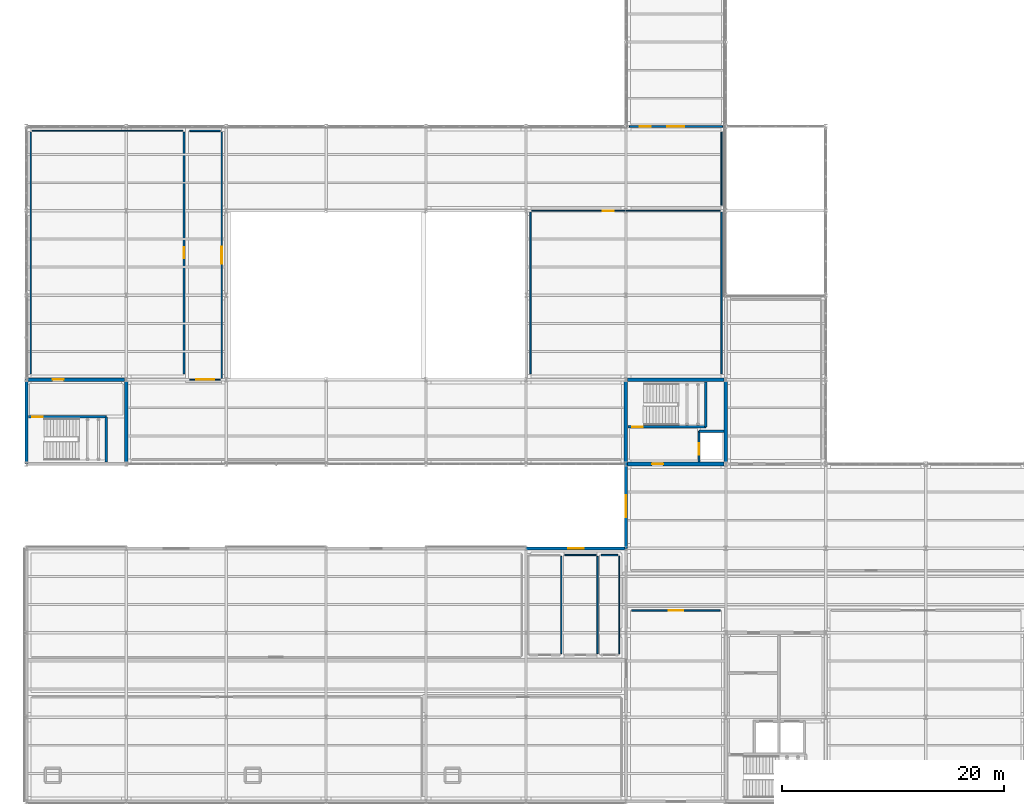
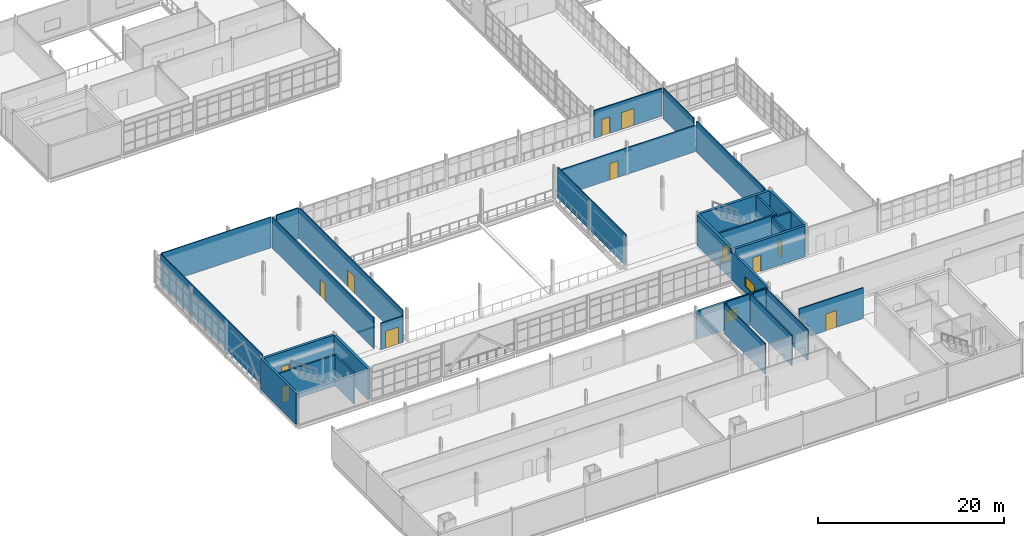
# One storey, part 154 of 174: 32 walls, 12 doors, 2 windows, 14 openings.
"""IFC4 building model written with IfcOpenShell, lengths in metres."""

from ifc_helpers import new_model, si_unit, direction, frame, frame_2d, origin, place, context, subcontext, project, spatial, rectangle, extrude, material, layer, layer_set, type_object, element, fill, save


model = new_model("IFC4")

# Units and contexts
model_context = context("Model", 3, precision=1e-05, world=origin(), true_north=direction((0.0, 1.0)))
body_context = subcontext(model_context, "Body", "Model", "MODEL_VIEW")
ifc_project = project(units=[si_unit("LENGTHUNIT", "METRE"), si_unit("AREAUNIT", "SQUARE_METRE"), si_unit("VOLUMEUNIT", "CUBIC_METRE"), si_unit("PLANEANGLEUNIT", "RADIAN"), si_unit("MASSUNIT", "GRAM", prefix="KILO")], contexts=[model_context])

# Site, building, storey
site_placement = place(None, origin())
site = spatial("IfcSite", under=ifc_project, at=site_placement, CompositionType="ELEMENT")
building_placement = place(site_placement, origin())
building = spatial("IfcBuilding", under=site, at=building_placement, Name="Caisbarro Railhouse Central Library", CompositionType="ELEMENT")
storey_placement = place(building_placement, frame((0.0, 0.0, 5.0400390625)))
storey = spatial("IfcBuildingStorey", under=building, at=storey_placement, Name="L01", CompositionType="ELEMENT", Elevation=5.0400390625)

# Wall, opening, door
ifc_material_1 = material(Name="Concrete C40", Category="concrete")
ifc_layer_1 = layer(ifc_material_1, 0.320068359375, Name="Concrete C40")
ifc_layer_set_1 = layer_set([ifc_layer_1], Name="Concrete C40")
wall_type_1 = type_object("IfcWallType", Name="WAL-CW32", PredefinedType="SHEAR", material=ifc_layer_set_1)
wall_1_placement = place(storey_placement, frame((54.159912109375, 30.39990234375, 0.0), z_axis=(0.0, 0.0, 1.0), x_axis=(1.0, 0.0, 0.0)))
wall_1 = element("IfcWall", 1, at=wall_1_placement, inside=storey, type_object=wall_type_1, Name="CW32 RC core shear wall L01 #62", PredefinedType="SHEAR", context=body_context, shape_type="SweptSolid", body=[
    extrude(rectangle(XDim=8.68017578125, YDim=0.320068359375, at=frame_2d((4.340087890625, 0.0))), origin(), (0.0, 0.0, 1.0), 4.0400390625),
])
opening_1_placement = place(wall_1_placement, frame((2.199951171875, 0.0, 0.0)))
opening_1 = element("IfcOpeningElement", 2, at=opening_1_placement, cuts=wall_1, Name="Opening FD05", PredefinedType="OPENING", context=body_context, shape_type="SweptSolid", body=[
    extrude(rectangle(XDim=1.0, YDim=2.14990234375, at=frame_2d((0.5, 1.074951171875))), frame((0.0, 0.169921875, 0.0), z_axis=(0.0, -1.0, 0.0), x_axis=(1.0, 0.0, 0.0)), (0.0, 0.0, 1.0), 0.340087890625),
])
ifc_material_2 = material(Name="Fire-rated painted galvanised steel", Category="steel")
door_type_1 = type_object("IfcDoorType", Name="DR-FD05", OperationType="NOTDEFINED", PredefinedType="DOOR", material=ifc_material_2)
door_1_placement = place(opening_1_placement, origin())
door_1 = element("IfcDoor", 3, at=door_1_placement, inside=storey, type_object=door_type_1, Name="Core K4 Lobby Door FD05 L01-108", OperationType="SINGLE_SWING_RIGHT", OverallHeight=2.14990234375, OverallWidth=1.0, PredefinedType="DOOR", context=body_context, shape_type="SweptSolid", body=[
    extrude(rectangle(XDim=1.0, YDim=2.14990234375, at=frame_2d((0.5, 1.074951171875))), frame((0.0, 0.02490234375, 0.0), z_axis=(0.0, -1.0, 0.0), x_axis=(1.0, 0.0, 0.0)), (0.0, 0.0, 1.0), 0.050048828125),
])
fill(opening_1, door_1)

# Walls
wall_2_placement = place(storey_placement, frame((54.159912109375, 38.0, 0.0), z_axis=(0.0, 0.0, 1.0), x_axis=(1.0, 0.0, 0.0)))
element("IfcWall", 4, at=wall_2_placement, inside=storey, type_object=wall_type_1, Name="CW32 RC core shear wall L01 #63", PredefinedType="SHEAR", context=body_context, shape_type="SweptSolid", body=[
    extrude(rectangle(XDim=8.68017578125, YDim=0.320068359375, at=frame_2d((4.340087890625, 0.0))), origin(), (0.0, 0.0, 1.0), 4.0400390625),
])
for number, where, z_axis, x_axis, name in (
    (5, (54.0, 30.56005859375, 0.0), (0.0, 0.0, 1.0), (0.0, 1.0, 0.0), "CW32 RC core shear wall L01 #64"),
    (6, (63.0, 30.56005859375, 0.0), (0.0, 0.0, 1.0), (0.0, 1.0, 0.0), "CW32 RC core shear wall L01 #65"),
):
    element("IfcWall", number, at=place(storey_placement, frame(where, z_axis=z_axis, x_axis=x_axis)), inside=storey, type_object=wall_type_1, Name=name, PredefinedType="SHEAR", context=body_context, shape_type="SweptSolid", body=[
        extrude(rectangle(XDim=7.280029296875, YDim=0.320068359375, at=frame_2d((3.64013671875, 0.0))), origin(), (0.0, 0.0, 1.0), 4.0400390625),
    ])

# Wall, opening, door
wall_3_placement = place(storey_placement, frame((0.159912109375, 38.0, 0.0), z_axis=(0.0, 0.0, 1.0), x_axis=(1.0, 0.0, 0.0)))
wall_3 = element("IfcWall", 7, at=wall_3_placement, inside=storey, type_object=wall_type_1, Name="CW32 RC core shear wall L01 #84", PredefinedType="SHEAR", context=body_context, shape_type="SweptSolid", body=[
    extrude(rectangle(XDim=8.68017578125, YDim=0.320068359375, at=frame_2d((4.340087890625, 0.0))), origin(), (0.0, 0.0, 1.0), 4.0400390625),
])
opening_2_placement = place(wall_3_placement, frame((2.199951171875, 0.0, 0.0)))
opening_2 = element("IfcOpeningElement", 8, at=opening_2_placement, cuts=wall_3, Name="Opening FD05", PredefinedType="OPENING", context=body_context, shape_type="SweptSolid", body=[
    extrude(rectangle(XDim=1.0, YDim=2.14990234375, at=frame_2d((0.5, 1.074951171875))), frame((0.0, 0.169921875, 0.0), z_axis=(0.0, -1.0, 0.0), x_axis=(1.0, 0.0, 0.0)), (0.0, 0.0, 1.0), 0.340087890625),
])
door_2_placement = place(opening_2_placement, origin())
door_2 = element("IfcDoor", 9, at=door_2_placement, inside=storey, type_object=door_type_1, Name="Core K6 Lobby Door FD05 L01-122", OperationType="SINGLE_SWING_LEFT", OverallHeight=2.14990234375, OverallWidth=1.0, PredefinedType="DOOR", context=body_context, shape_type="SweptSolid", body=[
    extrude(rectangle(XDim=1.0, YDim=2.14990234375, at=frame_2d((0.5, 1.074951171875))), frame((0.0, 0.02490234375, 0.0), z_axis=(0.0, -1.0, 0.0), x_axis=(1.0, 0.0, 0.0)), (0.0, 0.0, 1.0), 0.050048828125),
])
fill(opening_2, door_2)

# Wall
wall_4_placement = place(storey_placement, frame((9.0, 30.56005859375, 0.0), z_axis=(0.0, 0.0, 1.0), x_axis=(0.0, 1.0, 0.0)))
element("IfcWall", 10, at=wall_4_placement, inside=storey, type_object=wall_type_1, Name="CW32 RC core shear wall L01 #85", PredefinedType="SHEAR", context=body_context, shape_type="SweptSolid", body=[
    extrude(rectangle(XDim=7.280029296875, YDim=0.320068359375, at=frame_2d((3.64013671875, 0.0))), origin(), (0.0, 0.0, 1.0), 4.0400390625),
])

# Wall, opening, window
ifc_material_3 = material(Name="Concrete C35 insulated architectural precast", Category="concrete")
ifc_layer_2 = layer(ifc_material_3, 0.260009765625, Name="Concrete C35 insulated architectural precast")
ifc_layer_set_2 = layer_set([ifc_layer_2], Name="Concrete C35 insulated architectural precast")
wall_type_2 = type_object("IfcWallType", Name="WAL-EW26", PredefinedType="STANDARD", material=ifc_layer_set_2)
wall_5_placement = place(storey_placement, frame((45.0, 22.800048828125, 0.0), z_axis=(0.0, 0.0, 1.0), x_axis=(1.0, 0.0, 0.0)))
wall_5 = element("IfcWall", 11, at=wall_5_placement, inside=storey, type_object=wall_type_2, Name="EW26 exterior wall L01 #65", PredefinedType="STANDARD", context=body_context, shape_type="SweptSolid", body=[
    extrude(rectangle(XDim=9.0, YDim=0.260009765625, at=frame_2d((4.5, 0.0))), origin(), (0.0, 0.0, 1.0), 3.640869140625),
])
opening_3_placement = place(wall_5_placement, frame((3.800048828125, 0.0, 0.85009765625)))
opening_3 = element("IfcOpeningElement", 12, at=opening_3_placement, cuts=wall_5, Name="Opening W21", PredefinedType="OPENING", context=body_context, shape_type="SweptSolid", body=[
    extrude(rectangle(XDim=1.39990234375, YDim=1.5, at=frame_2d((0.699951171875, 0.75))), frame((0.0, 0.14013671875, 0.0), z_axis=(0.0, -1.0, 0.0), x_axis=(1.0, 0.0, 0.0)), (0.0, 0.0, 1.0), 0.280029296875),
])
ifc_material_4 = material(Name="Double low-e laminated solar-control glass", Category="glass")
window_type_1 = type_object("IfcWindowType", Name="WIN-W21", PartitioningType="SINGLE_PANEL", PredefinedType="WINDOW", material=ifc_material_4)
window_1_placement = place(opening_3_placement, origin())
window_1 = element("IfcWindow", 13, at=window_1_placement, inside=storey, type_object=window_type_1, Name="W21 window L01-004", OverallHeight=1.5, OverallWidth=1.39990234375, PartitioningType="SINGLE_PANEL", PredefinedType="WINDOW", context=body_context, shape_type="SweptSolid", body=[
    extrude(rectangle(XDim=1.39990234375, YDim=1.5, at=frame_2d((0.699951171875, 0.75))), frame((0.0, 0.030029296875, 0.0), z_axis=(0.0, -1.0, 0.0), x_axis=(1.0, 0.0, 0.0)), (0.0, 0.0, 1.0), 0.06005859375),
])
fill(opening_3, window_1)

wall_6_placement = place(storey_placement, frame((54.0, 22.800048828125, 0.0), z_axis=(0.0, 0.0, 1.0), x_axis=(0.0, 1.0, 0.0)))
wall_6 = element("IfcWall", 14, at=wall_6_placement, inside=storey, type_object=wall_type_2, Name="EW26 exterior wall L01 #91", PredefinedType="STANDARD", context=body_context, shape_type="SweptSolid", body=[
    extrude(rectangle(XDim=7.81005859375, YDim=0.260009765625, at=frame_2d((3.905029296875, 0.0))), origin(), (0.0, 0.0, 1.0), 3.62890625),
])
opening_4_placement = place(wall_6_placement, frame((2.824951171875, 0.0, 0.85009765625)))
opening_4 = element("IfcOpeningElement", 15, at=opening_4_placement, cuts=wall_6, Name="Opening W16", PredefinedType="OPENING", context=body_context, shape_type="SweptSolid", body=[
    extrude(rectangle(XDim=1.949951171875, YDim=1.35009765625, at=frame_2d((0.97509765625, 0.675048828125))), frame((0.0, 0.14013671875, 0.0), z_axis=(0.0, -1.0, 0.0), x_axis=(1.0, 0.0, 0.0)), (0.0, 0.0, 1.0), 0.280029296875),
])
window_type_2 = type_object("IfcWindowType", Name="WIN-W16", PartitioningType="SINGLE_PANEL", PredefinedType="WINDOW", material=ifc_material_4)
window_2_placement = place(opening_4_placement, origin())
window_2 = element("IfcWindow", 16, at=window_2_placement, inside=storey, type_object=window_type_2, Name="W16 window L01-017", OverallHeight=1.35009765625, OverallWidth=1.949951171875, PartitioningType="SINGLE_PANEL", PredefinedType="WINDOW", context=body_context, shape_type="SweptSolid", body=[
    extrude(rectangle(XDim=1.949951171875, YDim=1.35009765625, at=frame_2d((0.97509765625, 0.675048828125))), frame((0.0, 0.030029296875, 0.0), z_axis=(0.0, -1.0, 0.0), x_axis=(1.0, 0.0, 0.0)), (0.0, 0.0, 1.0), 0.06005859375),
])
fill(opening_4, window_2)

# Walls
ifc_layer_3 = layer(ifc_material_1, 0.280029296875, Name="Concrete C40")
ifc_layer_set_3 = layer_set([ifc_layer_3], Name="Concrete C40")
wall_type_3 = type_object("IfcWallType", Name="WAL-EW28", PredefinedType="SOLIDWALL", material=ifc_layer_set_3)
wall_7_placement = place(storey_placement, frame((0.0, 30.39990234375, 0.0), z_axis=(0.0, 0.0, 1.0), x_axis=(0.0, 1.0, 0.0)))
element("IfcWall", 17, at=wall_7_placement, inside=storey, type_object=wall_type_3, Name="EW28 exterior wall L01 #31", PredefinedType="SOLIDWALL", context=body_context, shape_type="SweptSolid", body=[
    extrude(rectangle(XDim=7.60009765625, YDim=0.280029296875, at=frame_2d((3.800048828125, 0.0))), origin(), (0.0, 0.0, 1.0), 4.06005859375),
])
ifc_material_5 = material(Name="Acoustic gypsum board on galvanised steel studs", Category="steel")
ifc_layer_4 = layer(ifc_material_5, 0.090087890625, Name="Acoustic gypsum board on galvanised steel studs")
ifc_layer_set_4 = layer_set([ifc_layer_4], Name="Acoustic gypsum board on galvanised steel studs")
wall_type_4 = type_object("IfcWallType", Name="WAL-IW09", PredefinedType="PARTITIONING", material=ifc_layer_set_4)
wall_8_placement = place(storey_placement, frame((53.39990234375, 13.320068359375, 0.0), z_axis=(0.0, 0.0, 1.0), x_axis=(0.0, 1.0, 0.0)))
element("IfcWall", 18, at=wall_8_placement, inside=storey, type_object=wall_type_4, Name="IW09 partition wall L01 #387", PredefinedType="PARTITIONING", context=body_context, shape_type="SweptSolid", body=[
    extrude(rectangle(XDim=8.760009765625, YDim=0.090087890625, at=frame_2d((4.3798828125, 0.0))), origin(), (0.0, 0.0, 1.0), 4.0400390625),
])

# Wall, opening, door
wall_9_placement = place(storey_placement, frame((45.52001953125, 53.199951171875, 0.0), z_axis=(0.0, 0.0, 1.0), x_axis=(1.0, 0.0, 0.0)))
wall_9 = element("IfcWall", 19, at=wall_9_placement, inside=storey, type_object=wall_type_4, Name="IW09 partition wall L01 #407", PredefinedType="PARTITIONING", context=body_context, shape_type="SweptSolid", body=[
    extrude(rectangle(XDim=16.9599609375, YDim=0.090087890625, at=frame_2d((8.47998046875, 0.0))), origin(), (0.0, 0.0, 1.0), 3.47998046875),
])
opening_5_placement = place(wall_9_placement, frame((6.385009765625, 0.0, 0.0)))
opening_5 = element("IfcOpeningElement", 20, at=opening_5_placement, cuts=wall_9, Name="Opening ID27", PredefinedType="OPENING", context=body_context, shape_type="SweptSolid", body=[
    extrude(rectangle(XDim=0.989990234375, YDim=2.14990234375, at=frame_2d((0.4951171875, 1.074951171875))), frame((0.0, 0.05517578125, 0.0), z_axis=(0.0, -1.0, 0.0), x_axis=(1.0, 0.0, 0.0)), (0.0, 0.0, 1.0), 0.110107421875),
])
ifc_material_6 = material(Name="Solid-core tropical hardwood veneer", Category="wood")
door_type_2 = type_object("IfcDoorType", Name="DR-ID27", OperationType="NOTDEFINED", PredefinedType="DOOR", material=ifc_material_6)
door_3_placement = place(opening_5_placement, origin())
door_3 = element("IfcDoor", 21, at=door_3_placement, inside=storey, type_object=door_type_2, Name="Digital Media Listening Lab Door ID27 L01-246", OperationType="SINGLE_SWING_RIGHT", OverallHeight=2.14990234375, OverallWidth=0.989990234375, PredefinedType="DOOR", context=body_context, shape_type="SweptSolid", body=[
    extrude(rectangle(XDim=0.989990234375, YDim=2.14990234375, at=frame_2d((0.4951171875, 1.074951171875))), frame((0.0, 0.02490234375, 0.0), z_axis=(0.0, -1.0, 0.0), x_axis=(1.0, 0.0, 0.0)), (0.0, 0.0, 1.0), 0.050048828125),
])
fill(opening_5, door_3)

wall_10_placement = place(storey_placement, frame((14.719970703125, 38.0, 0.0), z_axis=(0.0, 0.0, 1.0), x_axis=(1.0, 0.0, 0.0)))
wall_10 = element("IfcWall", 22, at=wall_10_placement, inside=storey, type_object=wall_type_4, Name="IW09 partition wall L01 #455", PredefinedType="PARTITIONING", context=body_context, shape_type="SweptSolid", body=[
    extrude(rectangle(XDim=2.760009765625, YDim=0.090087890625, at=frame_2d((1.3798828125, 0.0))), origin(), (0.0, 0.0, 1.0), 3.47998046875),
])
opening_6_placement = place(wall_10_placement, frame((0.570068359375, 0.0, 0.0)))
opening_6 = element("IfcOpeningElement", 23, at=opening_6_placement, cuts=wall_10, Name="Opening ID49", PredefinedType="OPENING", context=body_context, shape_type="SweptSolid", body=[
    extrude(rectangle(XDim=1.6201171875, YDim=2.199951171875, at=frame_2d((0.81005859375, 1.10009765625))), frame((0.0, 0.05517578125, 0.0), z_axis=(0.0, -1.0, 0.0), x_axis=(1.0, 0.0, 0.0)), (0.0, 0.0, 1.0), 0.110107421875),
])
door_type_3 = type_object("IfcDoorType", Name="DR-ID49", OperationType="NOTDEFINED", PredefinedType="DOOR", material=ifc_material_6)
door_4_placement = place(opening_6_placement, origin())
door_4 = element("IfcDoor", 24, at=door_4_placement, inside=storey, type_object=door_type_3, Name="South Mezzanine Study Corridor Door ID49 L01-266", OperationType="SINGLE_SWING_RIGHT", OverallHeight=2.199951171875, OverallWidth=1.6201171875, PredefinedType="DOOR", context=body_context, shape_type="SweptSolid", body=[
    extrude(rectangle(XDim=1.6201171875, YDim=2.199951171875, at=frame_2d((0.81005859375, 1.10009765625))), frame((0.0, 0.02490234375, 0.0), z_axis=(0.0, -1.0, 0.0), x_axis=(1.0, 0.0, 0.0)), (0.0, 0.0, 1.0), 0.050048828125),
])
fill(opening_6, door_4)

# Walls
ifc_layer_5 = layer(ifc_material_5, 0.110107421875, Name="Acoustic gypsum board on galvanised steel studs")
ifc_layer_set_5 = layer_set([ifc_layer_5], Name="Acoustic gypsum board on galvanised steel studs")
wall_type_5 = type_object("IfcWallType", Name="WAL-IW11", PredefinedType="PARTITIONING", material=ifc_layer_set_5)
wall_11_placement = place(storey_placement, frame((48.16796875, 13.320068359375, 0.0), z_axis=(0.0, 0.0, 1.0), x_axis=(0.0, 1.0, 0.0)))
element("IfcWall", 25, at=wall_11_placement, inside=storey, type_object=wall_type_5, Name="IW11 partition wall L01 #382", PredefinedType="PARTITIONING", context=body_context, shape_type="SweptSolid", body=[
    extrude(rectangle(XDim=8.760009765625, YDim=0.110107421875, at=frame_2d((4.3798828125, 0.0))), origin(), (0.0, 0.0, 1.0), 4.0400390625),
])
wall_12_placement = place(storey_placement, frame((48.488037109375, 22.199951171875, 0.0), z_axis=(0.0, 0.0, 1.0), x_axis=(1.0, 0.0, 0.0)))
element("IfcWall", 26, at=wall_12_placement, inside=storey, type_object=wall_type_5, Name="IW11 partition wall L01 #386", PredefinedType="PARTITIONING", context=body_context, shape_type="SweptSolid", body=[
    extrude(rectangle(XDim=2.827880859375, YDim=0.110107421875, at=frame_2d((1.4140625, 0.0))), origin(), (0.0, 0.0, 1.0), 4.0400390625),
])
wall_13_placement = place(storey_placement, frame((0.52001953125, 60.39990234375, 0.0), z_axis=(0.0, 0.0, 1.0), x_axis=(1.0, 0.0, 0.0)))
element("IfcWall", 27, at=wall_13_placement, inside=storey, type_object=wall_type_5, Name="IW11 partition wall L01 #406", PredefinedType="PARTITIONING", context=body_context, shape_type="SweptSolid", body=[
    extrude(rectangle(XDim=13.56005859375, YDim=0.110107421875, at=frame_2d((6.780029296875, 0.0))), origin(), (0.0, 0.0, 1.0), 4.0400390625),
])

# Wall, opening, door
wall_14_placement = place(storey_placement, frame((17.60009765625, 38.1201171875, 0.0), z_axis=(0.0, 0.0, 1.0), x_axis=(0.0, 1.0, 0.0)))
wall_14 = element("IfcWall", 28, at=wall_14_placement, inside=storey, type_object=wall_type_5, Name="IW11 partition wall L01 #454", PredefinedType="PARTITIONING", context=body_context, shape_type="SweptSolid", body=[
    extrude(rectangle(XDim=22.159912109375, YDim=0.110107421875, at=frame_2d((11.080078125, 0.0))), origin(), (0.0, 0.0, 1.0), 4.0400390625),
])
opening_7_placement = place(wall_14_placement, frame((10.330078125, 0.0, 0.0)))
opening_7 = element("IfcOpeningElement", 29, at=opening_7_placement, cuts=wall_14, Name="Opening ID48", PredefinedType="OPENING", context=body_context, shape_type="SweptSolid", body=[
    extrude(rectangle(XDim=1.5, YDim=2.199951171875, at=frame_2d((0.75, 1.10009765625))), frame((0.0, 0.06494140625, 0.0), z_axis=(0.0, -1.0, 0.0), x_axis=(1.0, 0.0, 0.0)), (0.0, 0.0, 1.0), 0.130126953125),
])
door_type_4 = type_object("IfcDoorType", Name="DR-ID48", OperationType="NOTDEFINED", PredefinedType="DOOR", material=ifc_material_6)
door_5_placement = place(opening_7_placement, origin())
door_5 = element("IfcDoor", 30, at=door_5_placement, inside=storey, type_object=door_type_4, Name="Mezzanine Link Corridor L01 Door ID48 L01-265", OperationType="SINGLE_SWING_LEFT", OverallHeight=2.199951171875, OverallWidth=1.5, PredefinedType="DOOR", context=body_context, shape_type="SweptSolid", body=[
    extrude(rectangle(XDim=1.5, YDim=2.199951171875, at=frame_2d((0.75, 1.10009765625))), frame((0.0, 0.02490234375, 0.0), z_axis=(0.0, -1.0, 0.0), x_axis=(1.0, 0.0, 0.0)), (0.0, 0.0, 1.0), 0.050048828125),
])
fill(opening_7, door_5)

# Walls
wall_15_placement = place(storey_placement, frame((62.60009765625, 53.719970703125, 0.0), z_axis=(0.0, 0.0, 1.0), x_axis=(0.0, 1.0, 0.0)))
element("IfcWall", 31, at=wall_15_placement, inside=storey, type_object=wall_type_5, Name="IW11 partition wall L01 #458", PredefinedType="PARTITIONING", context=body_context, shape_type="SweptSolid", body=[
    extrude(rectangle(XDim=6.56005859375, YDim=0.110107421875, at=frame_2d((3.280029296875, 0.0))), origin(), (0.0, 0.0, 1.0), 4.0400390625),
])
ifc_layer_6 = layer(ifc_material_5, 0.1298828125, Name="Acoustic gypsum board on galvanised steel studs")
ifc_layer_set_6 = layer_set([ifc_layer_6], Name="Acoustic gypsum board on galvanised steel studs")
wall_type_6 = type_object("IfcWallType", Name="WAL-IW13", PredefinedType="PARTITIONING", material=ifc_layer_set_6)
wall_16_placement = place(storey_placement, frame((51.43603515625, 13.320068359375, 0.0), z_axis=(0.0, 0.0, 1.0), x_axis=(0.0, 1.0, 0.0)))
element("IfcWall", 32, at=wall_16_placement, inside=storey, type_object=wall_type_6, Name="IW13 partition wall L01 #385", PredefinedType="PARTITIONING", context=body_context, shape_type="SweptSolid", body=[
    extrude(rectangle(XDim=8.760009765625, YDim=0.1298828125, at=frame_2d((4.3798828125, 0.0))), origin(), (0.0, 0.0, 1.0), 4.0400390625),
])
wall_17_placement = place(storey_placement, frame((51.756103515625, 22.199951171875, 0.0), z_axis=(0.0, 0.0, 1.0), x_axis=(1.0, 0.0, 0.0)))
element("IfcWall", 33, at=wall_17_placement, inside=storey, type_object=wall_type_6, Name="IW13 partition wall L01 #389", PredefinedType="PARTITIONING", context=body_context, shape_type="SweptSolid", body=[
    extrude(rectangle(XDim=1.52392578125, YDim=0.1298828125, at=frame_2d((0.761962890625, 0.0))), origin(), (0.0, 0.0, 1.0), 4.0400390625),
])
wall_18_placement = place(storey_placement, frame((0.39990234375, 38.52001953125, 0.0), z_axis=(0.0, 0.0, 1.0), x_axis=(0.0, 1.0, 0.0)))
element("IfcWall", 34, at=wall_18_placement, inside=storey, type_object=wall_type_6, Name="IW13 partition wall L01 #405", PredefinedType="PARTITIONING", context=body_context, shape_type="SweptSolid", body=[
    extrude(rectangle(XDim=21.760009765625, YDim=0.1298828125, at=frame_2d((10.8798828125, 0.0))), origin(), (0.0, 0.0, 1.0), 4.0400390625),
])
wall_19_placement = place(storey_placement, frame((45.39990234375, 38.52001953125, 0.0), z_axis=(0.0, 0.0, 1.0), x_axis=(0.0, 1.0, 0.0)))
element("IfcWall", 35, at=wall_19_placement, inside=storey, type_object=wall_type_6, Name="IW13 partition wall L01 #409", PredefinedType="PARTITIONING", context=body_context, shape_type="SweptSolid", body=[
    extrude(rectangle(XDim=14.56005859375, YDim=0.1298828125, at=frame_2d((7.280029296875, 0.0))), origin(), (0.0, 0.0, 1.0), 4.0400390625),
])

# Wall, opening, door
wall_20_placement = place(storey_placement, frame((54.52001953125, 17.199951171875, 0.0), z_axis=(0.0, 0.0, 1.0), x_axis=(1.0, 0.0, 0.0)))
wall_20 = element("IfcWall", 36, at=wall_20_placement, inside=storey, type_object=wall_type_6, Name="IW13 partition wall L01 #453", PredefinedType="PARTITIONING", context=body_context, shape_type="SweptSolid", body=[
    extrude(rectangle(XDim=7.9599609375, YDim=0.1298828125, at=frame_2d((3.97998046875, 0.0))), origin(), (0.0, 0.0, 1.0), 4.0400390625),
])
opening_8_placement = place(wall_20_placement, frame((3.320068359375, 0.0, 0.0)))
opening_8 = element("IfcOpeningElement", 37, at=opening_8_placement, cuts=wall_20, Name="Opening ID46", PredefinedType="OPENING", context=body_context, shape_type="SweptSolid", body=[
    extrude(rectangle(XDim=1.320068359375, YDim=2.199951171875, at=frame_2d((0.66015625, 1.10009765625))), frame((0.0, 0.074951171875, 0.0), z_axis=(0.0, -1.0, 0.0), x_axis=(1.0, 0.0, 0.0)), (0.0, 0.0, 1.0), 0.14990234375),
])
door_type_5 = type_object("IfcDoorType", Name="DR-ID46", OperationType="NOTDEFINED", PredefinedType="DOOR", material=ifc_material_6)
door_6_placement = place(opening_8_placement, origin())
door_6 = element("IfcDoor", 38, at=door_6_placement, inside=storey, type_object=door_type_5, Name="Staff Lounge and Training Room Door ID46 L01-263", OperationType="SINGLE_SWING_LEFT", OverallHeight=2.199951171875, OverallWidth=1.320068359375, PredefinedType="DOOR", context=body_context, shape_type="SweptSolid", body=[
    extrude(rectangle(XDim=1.320068359375, YDim=2.199951171875, at=frame_2d((0.66015625, 1.10009765625))), frame((0.0, 0.02490234375, 0.0), z_axis=(0.0, -1.0, 0.0), x_axis=(1.0, 0.0, 0.0)), (0.0, 0.0, 1.0), 0.050048828125),
])
fill(opening_8, door_6)

# Wall, openings, doors
ifc_layer_7 = layer(ifc_material_5, 0.14990234375, Name="Acoustic gypsum board on galvanised steel studs")
ifc_layer_set_7 = layer_set([ifc_layer_7], Name="Acoustic gypsum board on galvanised steel studs")
wall_type_7 = type_object("IfcWallType", Name="WAL-IW15", PredefinedType="PARTITIONING", material=ifc_layer_set_7)
wall_21_placement = place(storey_placement, frame((54.300048828125, 60.800048828125, 0.0), z_axis=(0.0, 0.0, 1.0), x_axis=(1.0, 0.0, 0.0)))
wall_21 = element("IfcWall", 39, at=wall_21_placement, inside=storey, type_object=wall_type_7, Name="IW15 partition wall L01 #368", PredefinedType="PARTITIONING", context=body_context, shape_type="SweptSolid", body=[
    extrude(rectangle(XDim=8.39990234375, YDim=0.14990234375, at=frame_2d((4.199951171875, 0.0))), origin(), (0.0, 0.0, 1.0), 3.630859375),
])
opening_9_placement = place(wall_21_placement, frame((3.39990234375, 0.0, 0.0)))
opening_9 = element("IfcOpeningElement", 40, at=opening_9_placement, cuts=wall_21, Name="Opening FD07", PredefinedType="OPENING", context=body_context, shape_type="SweptSolid", body=[
    extrude(rectangle(XDim=1.550048828125, YDim=2.199951171875, at=frame_2d((0.77490234375, 1.10009765625))), frame((0.0, 0.0849609375, 0.0), z_axis=(0.0, -1.0, 0.0), x_axis=(1.0, 0.0, 0.0)), (0.0, 0.0, 1.0), 0.169921875),
])
opening_10_placement = place(wall_21_placement, frame((0.949951171875, 0.0, 0.0)))
opening_10 = element("IfcOpeningElement", 41, at=opening_10_placement, cuts=wall_21, Name="Opening FD05", PredefinedType="OPENING", context=body_context, shape_type="SweptSolid", body=[
    extrude(rectangle(XDim=1.0, YDim=2.14990234375, at=frame_2d((0.5, 1.074951171875))), frame((0.0, 0.0849609375, 0.0), z_axis=(0.0, -1.0, 0.0), x_axis=(1.0, 0.0, 0.0)), (0.0, 0.0, 1.0), 0.169921875),
])
door_7_placement = place(opening_10_placement, origin())
door_7 = element("IfcDoor", 42, at=door_7_placement, inside=storey, type_object=door_type_1, Name="North Court Reading Gallery L01 Door FD05 L01-267", OperationType="SINGLE_SWING_LEFT", OverallHeight=2.14990234375, OverallWidth=1.0, PredefinedType="DOOR", context=body_context, shape_type="SweptSolid", body=[
    extrude(rectangle(XDim=1.0, YDim=2.14990234375, at=frame_2d((0.5, 1.074951171875))), frame((0.0, 0.02490234375, 0.0), z_axis=(0.0, -1.0, 0.0), x_axis=(1.0, 0.0, 0.0)), (0.0, 0.0, 1.0), 0.050048828125),
])
fill(opening_10, door_7)
door_type_6 = type_object("IfcDoorType", Name="DR-FD07", OperationType="NOTDEFINED", PredefinedType="DOOR", material=ifc_material_2)
door_8_placement = place(opening_9_placement, origin())
door_8 = element("IfcDoor", 43, at=door_8_placement, inside=storey, type_object=door_type_6, Name="Bridge South Door FD07 L01-227", OperationType="SINGLE_SWING_LEFT", OverallHeight=2.199951171875, OverallWidth=1.550048828125, PredefinedType="DOOR", context=body_context, shape_type="SweptSolid", body=[
    extrude(rectangle(XDim=1.550048828125, YDim=2.199951171875, at=frame_2d((0.77490234375, 1.10009765625))), frame((0.0, 0.02490234375, 0.0), z_axis=(0.0, -1.0, 0.0), x_axis=(1.0, 0.0, 0.0)), (0.0, 0.0, 1.0), 0.050048828125),
])
fill(opening_9, door_8)

# Wall, opening, door
wall_22_placement = place(storey_placement, frame((14.199951171875, 38.52001953125, 0.0), z_axis=(0.0, 0.0, 1.0), x_axis=(0.0, 1.0, 0.0)))
wall_22 = element("IfcWall", 44, at=wall_22_placement, inside=storey, type_object=wall_type_7, Name="IW15 partition wall L01 #404", PredefinedType="PARTITIONING", context=body_context, shape_type="SweptSolid", body=[
    extrude(rectangle(XDim=21.760009765625, YDim=0.14990234375, at=frame_2d((10.8798828125, 0.0))), origin(), (0.0, 0.0, 1.0), 4.0400390625),
])
opening_11_placement = place(wall_22_placement, frame((10.4150390625, 0.0, 0.0)))
opening_11 = element("IfcOpeningElement", 45, at=opening_11_placement, cuts=wall_22, Name="Opening FD05", PredefinedType="OPENING", context=body_context, shape_type="SweptSolid", body=[
    extrude(rectangle(XDim=1.0, YDim=2.14990234375, at=frame_2d((0.5, 1.074951171875))), frame((0.0, 0.0849609375, 0.0), z_axis=(0.0, -1.0, 0.0), x_axis=(1.0, 0.0, 0.0)), (0.0, 0.0, 1.0), 0.169921875),
])
door_9_placement = place(opening_11_placement, origin())
door_9 = element("IfcDoor", 46, at=door_9_placement, inside=storey, type_object=door_type_1, Name="West Mezzanine Reading Room Door FD05 L01-245", OperationType="SINGLE_SWING_LEFT", OverallHeight=2.14990234375, OverallWidth=1.0, PredefinedType="DOOR", context=body_context, shape_type="SweptSolid", body=[
    extrude(rectangle(XDim=1.0, YDim=2.14990234375, at=frame_2d((0.5, 1.074951171875))), frame((0.0, 0.02490234375, 0.0), z_axis=(0.0, -1.0, 0.0), x_axis=(1.0, 0.0, 0.0)), (0.0, 0.0, 1.0), 0.050048828125),
])
fill(opening_11, door_9)

# Walls
wall_23_placement = place(storey_placement, frame((62.60009765625, 38.52001953125, 0.0), z_axis=(0.0, 0.0, 1.0), x_axis=(0.0, 1.0, 0.0)))
element("IfcWall", 47, at=wall_23_placement, inside=storey, type_object=wall_type_7, Name="IW15 partition wall L01 #408", PredefinedType="PARTITIONING", context=body_context, shape_type="SweptSolid", body=[
    extrude(rectangle(XDim=14.56005859375, YDim=0.14990234375, at=frame_2d((7.280029296875, 0.0))), origin(), (0.0, 0.0, 1.0), 4.0400390625),
])
wall_24_placement = place(storey_placement, frame((14.719970703125, 60.39990234375, 0.0), z_axis=(0.0, 0.0, 1.0), x_axis=(1.0, 0.0, 0.0)))
element("IfcWall", 48, at=wall_24_placement, inside=storey, type_object=wall_type_7, Name="IW15 partition wall L01 #456", PredefinedType="PARTITIONING", context=body_context, shape_type="SweptSolid", body=[
    extrude(rectangle(XDim=2.760009765625, YDim=0.14990234375, at=frame_2d((1.3798828125, 0.0))), origin(), (0.0, 0.0, 1.0), 4.0400390625),
])

# Wall, opening, door
ifc_layer_8 = layer(ifc_material_1, 0.2099609375, Name="Concrete C40")
ifc_layer_set_8 = layer_set([ifc_layer_8], Name="Concrete C40")
wall_type_8 = type_object("IfcWallType", Name="WAL-SW21", PredefinedType="SOLIDWALL", material=ifc_layer_set_8)
wall_25_placement = place(storey_placement, frame((54.199951171875, 33.75, 0.0), z_axis=(0.0, 0.0, 1.0), x_axis=(1.0, 0.0, 0.0)))
wall_25 = element("IfcWall", 49, at=wall_25_placement, inside=storey, type_object=wall_type_8, Name="SW21 core shaft wall L01 #127", PredefinedType="SOLIDWALL", context=body_context, shape_type="SweptSolid", body=[
    extrude(rectangle(XDim=7.0, YDim=0.2099609375, at=frame_2d((3.5, 0.0))), origin(), (0.0, 0.0, 1.0), 4.0400390625),
])
opening_12_placement = place(wall_25_placement, frame((0.35009765625, 0.0, 0.0)))
opening_12 = element("IfcOpeningElement", 50, at=opening_12_placement, cuts=wall_25, Name="Opening FD01", PredefinedType="OPENING", context=body_context, shape_type="SweptSolid", body=[
    extrude(rectangle(XDim=0.949951171875, YDim=2.1201171875, at=frame_2d((0.47509765625, 1.06005859375))), frame((0.0, 0.114990234375, 0.0), z_axis=(0.0, -1.0, 0.0), x_axis=(1.0, 0.0, 0.0)), (0.0, 0.0, 1.0), 0.22998046875),
])
door_type_7 = type_object("IfcDoorType", Name="DR-FD01", OperationType="NOTDEFINED", PredefinedType="DOOR", material=ifc_material_2)
door_10_placement = place(opening_12_placement, origin())
door_10 = element("IfcDoor", 51, at=door_10_placement, inside=storey, type_object=door_type_7, Name="Stair ST-04 Fire Door FD01 L01-106", OperationType="SINGLE_SWING_LEFT", OverallHeight=2.1201171875, OverallWidth=0.949951171875, PredefinedType="DOOR", context=body_context, shape_type="SweptSolid", body=[
    extrude(rectangle(XDim=0.949951171875, YDim=2.1201171875, at=frame_2d((0.47509765625, 1.06005859375))), frame((0.0, 0.02490234375, 0.0), z_axis=(0.0, -1.0, 0.0), x_axis=(1.0, 0.0, 0.0)), (0.0, 0.0, 1.0), 0.050048828125),
])
fill(opening_12, door_10)

# Wall
wall_26_placement = place(storey_placement, frame((61.199951171875, 33.75, 0.0), z_axis=(0.0, 0.0, 1.0), x_axis=(0.0, 1.0, 0.0)))
element("IfcWall", 52, at=wall_26_placement, inside=storey, type_object=wall_type_8, Name="SW21 core shaft wall L01 #128", PredefinedType="SOLIDWALL", context=body_context, shape_type="SweptSolid", body=[
    extrude(rectangle(XDim=4.050048828125, YDim=0.2099609375, at=frame_2d((2.02490234375, 0.0))), origin(), (0.0, 0.0, 1.0), 4.0400390625),
])

# Wall, opening, door
wall_27_placement = place(storey_placement, frame((60.580078125, 30.60009765625, 0.0), z_axis=(0.0, 0.0, 1.0), x_axis=(0.0, 1.0, 0.0)))
wall_27 = element("IfcWall", 53, at=wall_27_placement, inside=storey, type_object=wall_type_8, Name="SW21 core shaft wall L01 #129", PredefinedType="SOLIDWALL", context=body_context, shape_type="SweptSolid", body=[
    extrude(rectangle(XDim=2.75, YDim=0.2099609375, at=frame_2d((1.375, 0.0))), origin(), (0.0, 0.0, 1.0), 4.0400390625),
])
opening_13_placement = place(wall_27_placement, frame((0.64990234375, 0.0, 0.0)))
opening_13 = element("IfcOpeningElement", 54, at=opening_13_placement, cuts=wall_27, Name="Opening LD02", PredefinedType="OPENING", context=body_context, shape_type="SweptSolid", body=[
    extrude(rectangle(XDim=1.0400390625, YDim=2.10009765625, at=frame_2d((0.52001953125, 1.050048828125))), frame((0.0, 0.114990234375, 0.0), z_axis=(0.0, -1.0, 0.0), x_axis=(1.0, 0.0, 0.0)), (0.0, 0.0, 1.0), 0.22998046875),
])
ifc_material_7 = material(Name="Brushed stainless steel elevator cab", Category="steel")
door_type_8 = type_object("IfcDoorType", Name="DR-LD02", OperationType="NOTDEFINED", PredefinedType="DOOR", material=ifc_material_7)
door_11_placement = place(opening_13_placement, origin())
door_11 = element("IfcDoor", 55, at=door_11_placement, inside=storey, type_object=door_type_8, Name="Lift PL-03 Landing Door LD02 L01-107", OperationType="SLIDING_TO_LEFT", OverallHeight=2.10009765625, OverallWidth=1.0400390625, PredefinedType="DOOR", context=body_context, shape_type="SweptSolid", body=[
    extrude(rectangle(XDim=1.0400390625, YDim=2.10009765625, at=frame_2d((0.52001953125, 1.050048828125))), frame((0.0, 0.02490234375, 0.0), z_axis=(0.0, -1.0, 0.0), x_axis=(1.0, 0.0, 0.0)), (0.0, 0.0, 1.0), 0.050048828125),
])
fill(opening_13, door_11)

# Wall
wall_28_placement = place(storey_placement, frame((60.580078125, 33.35009765625, 0.0), z_axis=(0.0, 0.0, 1.0), x_axis=(1.0, 0.0, 0.0)))
element("IfcWall", 56, at=wall_28_placement, inside=storey, type_object=wall_type_8, Name="SW21 core shaft wall L01 #130", PredefinedType="SOLIDWALL", context=body_context, shape_type="SweptSolid", body=[
    extrude(rectangle(XDim=2.239990234375, YDim=0.2099609375, at=frame_2d((1.1201171875, 0.0))), origin(), (0.0, 0.0, 1.0), 4.0400390625),
])

# Wall, opening, door
wall_29_placement = place(storey_placement, frame((0.199951171875, 34.64990234375, 0.0), z_axis=(0.0, 0.0, 1.0), x_axis=(1.0, 0.0, 0.0)))
wall_29 = element("IfcWall", 57, at=wall_29_placement, inside=storey, type_object=wall_type_8, Name="SW21 core shaft wall L01 #145", PredefinedType="SOLIDWALL", context=body_context, shape_type="SweptSolid", body=[
    extrude(rectangle(XDim=7.0, YDim=0.2099609375, at=frame_2d((3.5, 0.0))), origin(), (0.0, 0.0, 1.0), 4.0400390625),
])
opening_14_placement = place(wall_29_placement, frame((0.35009765625, 0.0, 0.0)))
opening_14 = element("IfcOpeningElement", 58, at=opening_14_placement, cuts=wall_29, Name="Opening FD01", PredefinedType="OPENING", context=body_context, shape_type="SweptSolid", body=[
    extrude(rectangle(XDim=0.949951171875, YDim=2.1201171875, at=frame_2d((0.47509765625, 1.06005859375))), frame((0.0, 0.114990234375, 0.0), z_axis=(0.0, -1.0, 0.0), x_axis=(1.0, 0.0, 0.0)), (0.0, 0.0, 1.0), 0.22998046875),
])
door_12_placement = place(opening_14_placement, origin())
door_12 = element("IfcDoor", 59, at=door_12_placement, inside=storey, type_object=door_type_7, Name="Stair ST-06 Fire Door FD01 L01-121", OperationType="SINGLE_SWING_RIGHT", OverallHeight=2.1201171875, OverallWidth=0.949951171875, PredefinedType="DOOR", context=body_context, shape_type="SweptSolid", body=[
    extrude(rectangle(XDim=0.949951171875, YDim=2.1201171875, at=frame_2d((0.47509765625, 1.06005859375))), frame((0.0, 0.02490234375, 0.0), z_axis=(0.0, -1.0, 0.0), x_axis=(1.0, 0.0, 0.0)), (0.0, 0.0, 1.0), 0.050048828125),
])
fill(opening_14, door_12)

# Wall
wall_30_placement = place(storey_placement, frame((7.199951171875, 30.60009765625, 0.0), z_axis=(0.0, 0.0, 1.0), x_axis=(0.0, 1.0, 0.0)))
element("IfcWall", 60, at=wall_30_placement, inside=storey, type_object=wall_type_8, Name="SW21 core shaft wall L01 #146", PredefinedType="SOLIDWALL", context=body_context, shape_type="SweptSolid", body=[
    extrude(rectangle(XDim=4.0498046875, YDim=0.2099609375, at=frame_2d((2.02490234375, 0.0))), origin(), (0.0, 0.0, 1.0), 4.0400390625),
])

save(model, "model.ifc")
